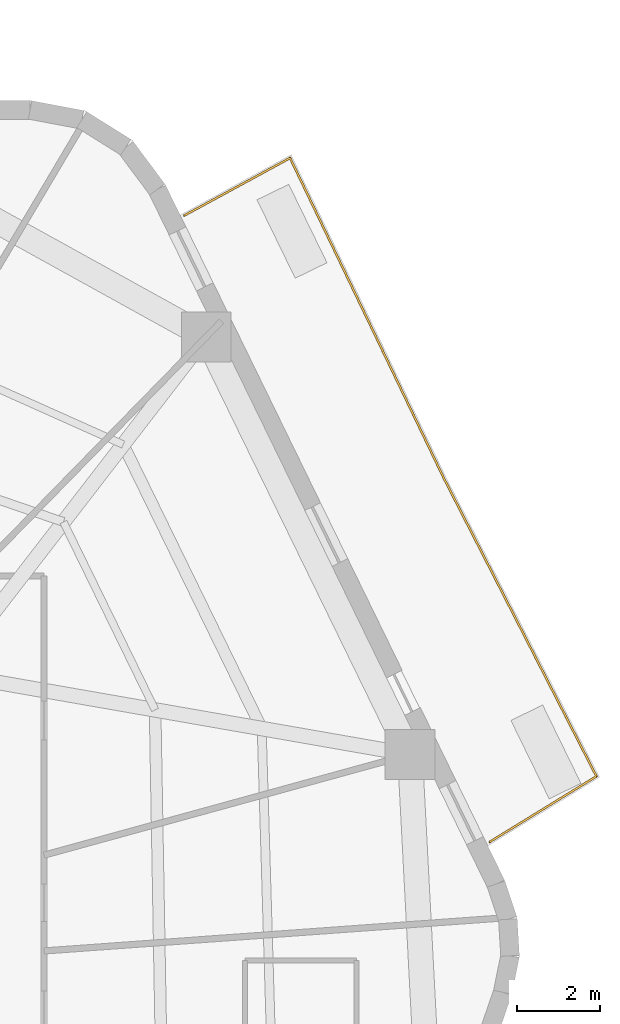
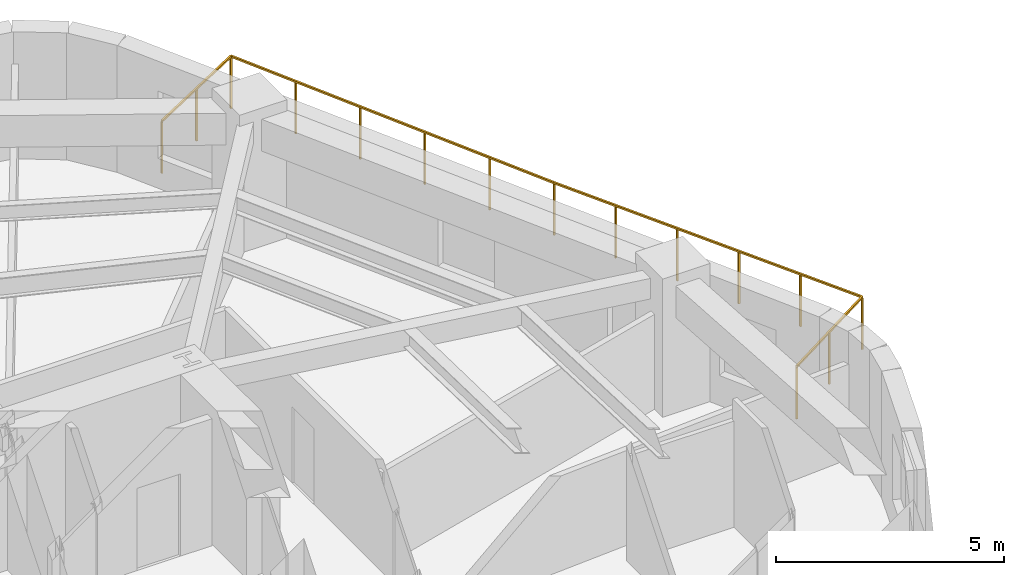
# One storey, part 10 of 10: 1 railing.
"""IFC4 building model written with IfcOpenShell, lengths in metres."""

from ifc_helpers import new_model, si_unit, direction, frame, origin, origin_2d, place, context, subcontext, project, spatial, rectangle, extrude, material, layer, layer_set, type_object, element, save


model = new_model("IFC4")

# Units and contexts
model_context = context("Model", 3, precision=1e-05, world=origin(), true_north=direction((0.0, 1.0)))
body_context = subcontext(model_context, "Body", "Model", "MODEL_VIEW")
ifc_project = project(units=[si_unit("LENGTHUNIT", "METRE"), si_unit("AREAUNIT", "SQUARE_METRE"), si_unit("VOLUMEUNIT", "CUBIC_METRE"), si_unit("PLANEANGLEUNIT", "RADIAN"), si_unit("MASSUNIT", "GRAM", prefix="KILO")], contexts=[model_context])

# Site, building, storey
site_placement = place(None, origin())
site = spatial("IfcSite", under=ifc_project, at=site_placement, CompositionType="ELEMENT")
building_placement = place(site_placement, origin())
building = spatial("IfcBuilding", under=site, at=building_placement, Name="Kilnhurst Terrace Hotel", CompositionType="ELEMENT")
storey_placement = place(building_placement, frame((0.0, 0.0, 91.39990234375)))
storey = spatial("IfcBuildingStorey", under=building, at=storey_placement, Name="L21", CompositionType="ELEMENT", Elevation=91.39990234375)

# Railing
ifc_material = material(Name="Laminated SentryGlas and Stainless Steel AISI 316L Balustrade", Category="steel")
ifc_layer = layer(ifc_material, 0.070068359375, Name="Laminated SentryGlas and Stainless Steel AISI 316L Balustrade")
ifc_layer_set = layer_set([ifc_layer], Name="Laminated SentryGlas and Stainless Steel AISI 316L Balustrade")
railing_type = type_object("IfcRailingType", Name="RLG-BAL-1420", PredefinedType="BALUSTRADE", material=ifc_layer_set)
railing_placement = place(storey_placement, frame((14.722900390625, 18.529541015625, 0.0)))
element("IfcRailing", 1, at=railing_placement, inside=storey, type_object=railing_type, Name="L21 Exterior Terrace Guardrail BAL-L1A.1", PredefinedType="BALUSTRADE", context=body_context, shape_type="SweptSolid", body=[
    extrude(rectangle(XDim=0.048095703125, YDim=0.048095703125, at=origin_2d()), frame((0.0, 0.0, 1.39599609375), z_axis=(0.878553207741, 0.477644492451, 0.0), x_axis=(-0.477644492451, 0.878553207741, 0.0)), (0.0, 0.0, 1.0), 2.90478515625),
    extrude(rectangle(XDim=0.048095703125, YDim=0.048095703125, at=origin_2d()), frame((2.552001953125, 1.387451171875, 1.39599609375), z_axis=(0.43291229924, -0.901436043858, 0.0), x_axis=(0.901436043858, 0.43291229924, 0.0)), (0.0, 0.0, 1.0), 8.583251953125),
    extrude(rectangle(XDim=0.048095703125, YDim=0.048095703125, at=origin_2d()), frame((6.267822265625, -6.349853515625, 1.39599609375), z_axis=(0.514495755428, -0.857492925713, 0.0), x_axis=(0.857492925713, 0.514495755428, 0.0)), (0.0, 0.0, 1.0), 0.00146484375),
    extrude(rectangle(XDim=0.048095703125, YDim=0.048095703125, at=origin_2d()), frame((6.2685546875, -6.35107421875, 1.39599609375), z_axis=(0.455744437697, -0.890110671494, 0.0), x_axis=(0.890110671494, 0.455744437697, 0.0)), (0.0, 0.0, 1.0), 8.039794921875),
    extrude(rectangle(XDim=0.048095703125, YDim=0.048095703125, at=origin_2d()), frame((9.9326171875, -13.50732421875, 1.39599609375), z_axis=(-0.85191630472, -0.523677963784, 0.0), x_axis=(0.523677963784, -0.85191630472, 0.0)), (0.0, 0.0, 1.0), 3.0205078125),
    extrude(rectangle(XDim=0.0419921875, YDim=0.0419921875, at=origin_2d()), origin(), (0.0, 0.0, 1.0), 1.371826171875),
    extrude(rectangle(XDim=0.0419921875, YDim=0.0419921875, at=origin_2d()), frame((1.27587890625, 0.69384765625, 0.0)), (0.0, 0.0, 1.0), 1.371826171875),
    extrude(rectangle(XDim=0.0419921875, YDim=0.0419921875, at=origin_2d()), frame((2.552001953125, 1.387451171875, 0.0)), (0.0, 0.0, 1.0), 1.371826171875),
    extrude(rectangle(XDim=0.0419921875, YDim=0.0419921875, at=origin_2d()), frame((3.295166015625, -0.159912109375, 0.0)), (0.0, 0.0, 1.0), 1.371826171875),
    extrude(rectangle(XDim=0.0419921875, YDim=0.0419921875, at=origin_2d()), frame((4.038330078125, -1.70751953125, 0.0)), (0.0, 0.0, 1.0), 1.371826171875),
    extrude(rectangle(XDim=0.0419921875, YDim=0.0419921875, at=origin_2d()), frame((4.781494140625, -3.2548828125, 0.0)), (0.0, 0.0, 1.0), 1.371826171875),
    extrude(rectangle(XDim=0.0419921875, YDim=0.0419921875, at=origin_2d()), frame((5.524658203125, -4.802490234375, 0.0)), (0.0, 0.0, 1.0), 1.371826171875),
    extrude(rectangle(XDim=0.0419921875, YDim=0.0419921875, at=origin_2d()), frame((6.267822265625, -6.349853515625, 0.0)), (0.0, 0.0, 1.0), 1.371826171875),
    extrude(rectangle(XDim=0.0419921875, YDim=0.0419921875, at=origin_2d()), frame((6.2685546875, -6.35107421875, 0.0)), (0.0, 0.0, 1.0), 1.371826171875),
    extrude(rectangle(XDim=0.0419921875, YDim=0.0419921875, at=origin_2d()), frame((7.00146484375, -7.7822265625, 0.0)), (0.0, 0.0, 1.0), 1.371826171875),
    extrude(rectangle(XDim=0.0419921875, YDim=0.0419921875, at=origin_2d()), frame((7.734130859375, -9.213623046875, 0.0)), (0.0, 0.0, 1.0), 1.371826171875),
    extrude(rectangle(XDim=0.0419921875, YDim=0.0419921875, at=origin_2d()), frame((8.467041015625, -10.644775390625, 0.0)), (0.0, 0.0, 1.0), 1.371826171875),
    extrude(rectangle(XDim=0.0419921875, YDim=0.0419921875, at=origin_2d()), frame((9.19970703125, -12.076171875, 0.0)), (0.0, 0.0, 1.0), 1.371826171875),
    extrude(rectangle(XDim=0.0419921875, YDim=0.0419921875, at=origin_2d()), frame((9.9326171875, -13.50732421875, 0.0)), (0.0, 0.0, 1.0), 1.371826171875),
    extrude(rectangle(XDim=0.0419921875, YDim=0.0419921875, at=origin_2d()), frame((8.64599609375, -14.29833984375, 0.0)), (0.0, 0.0, 1.0), 1.371826171875),
    extrude(rectangle(XDim=0.0419921875, YDim=0.0419921875, at=origin_2d()), frame((7.359375, -15.089111328125, 0.0)), (0.0, 0.0, 1.0), 1.371826171875),
])

save(model, "model.ifc")
